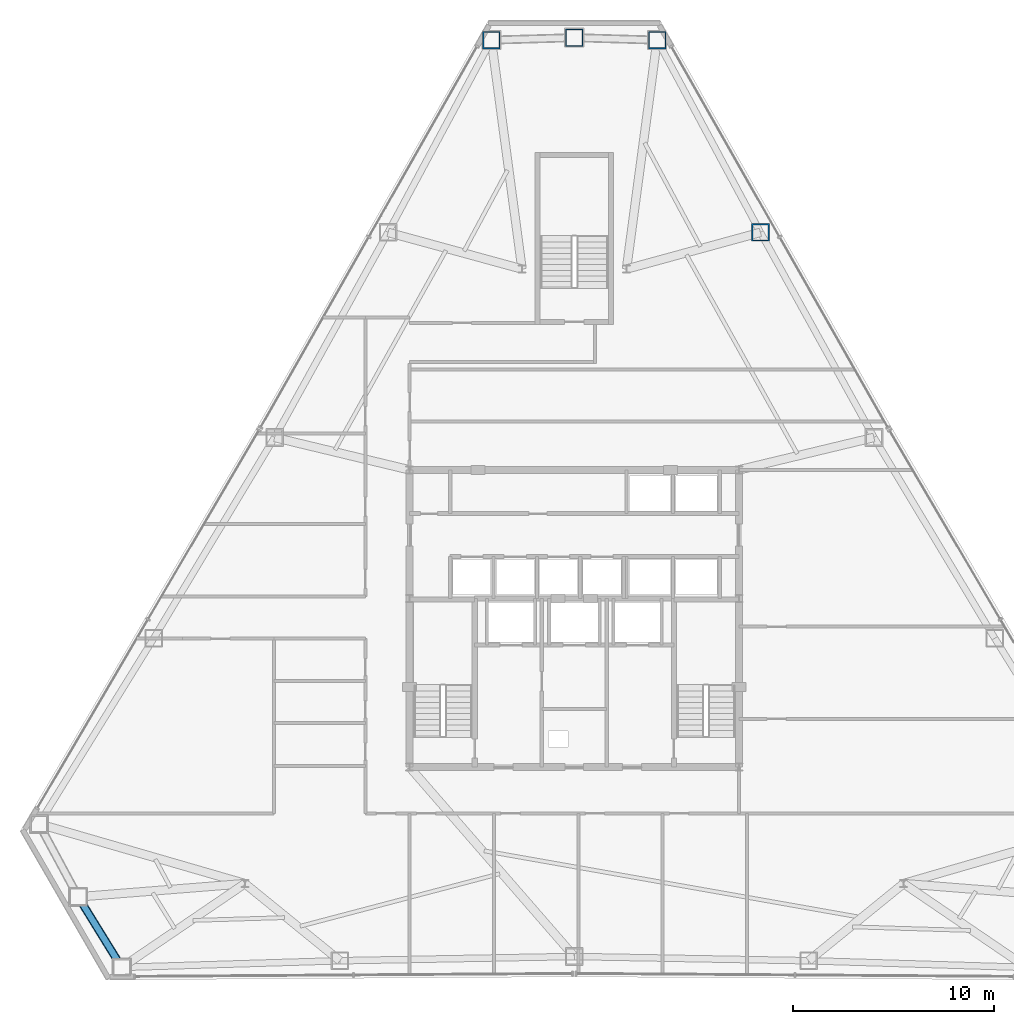
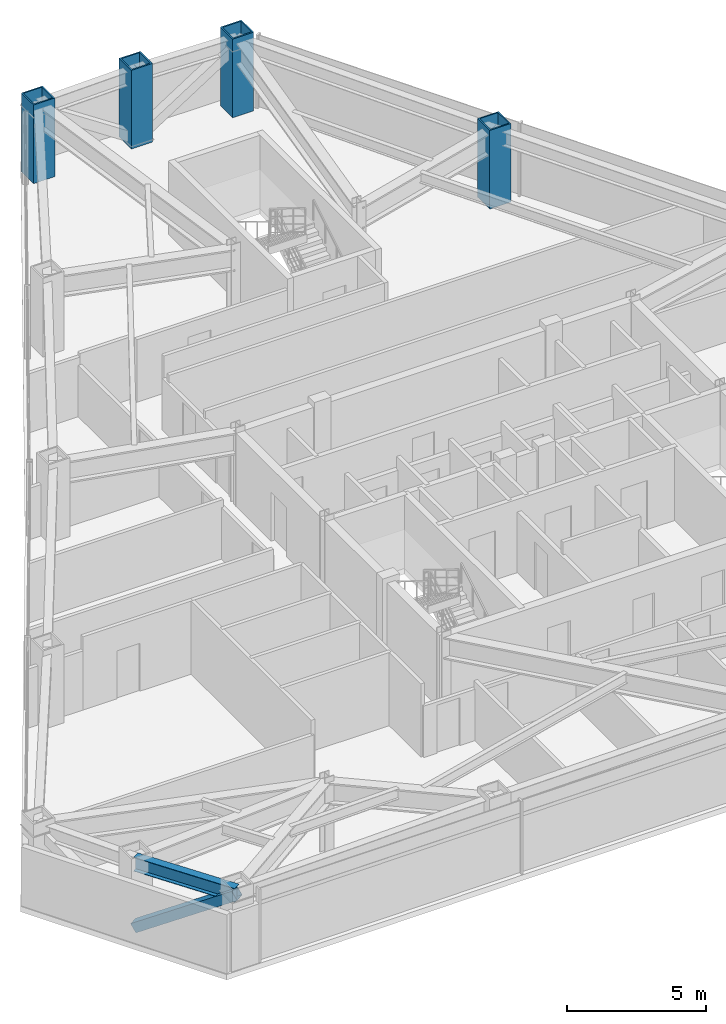
# One storey, part 3 of 12: 4 columns, 1 beam, 1 member.
"""IFC4 building model written with IfcOpenShell, lengths in metres."""

from ifc_helpers import new_model, si_unit, direction, frame, origin, origin_2d, place, context, subcontext, project, spatial, hollow_rectangle, i_section, extrude, source, transform, mapped, material, material_profile, profile_set, type_object, type_shapes, element, save


model = new_model("IFC4")

# Units and contexts
model_context = context("Model", 3, precision=1e-05, world=origin(), true_north=direction((0.0, 1.0)))
body_context = subcontext(model_context, "Body", "Model", "MODEL_VIEW")
ifc_project = project(units=[si_unit("LENGTHUNIT", "METRE"), si_unit("AREAUNIT", "SQUARE_METRE"), si_unit("VOLUMEUNIT", "CUBIC_METRE"), si_unit("PLANEANGLEUNIT", "RADIAN"), si_unit("MASSUNIT", "GRAM", prefix="KILO")], contexts=[model_context])

# Site, building, storey
site_placement = place(None, origin())
site = spatial("IfcSite", under=ifc_project, at=site_placement, CompositionType="ELEMENT")
building_placement = place(site_placement, origin())
building = spatial("IfcBuilding", under=site, at=building_placement, Name="Varakhsha Concourse Tower", CompositionType="ELEMENT")
storey_placement = place(building_placement, frame((0.0, 0.0, 129.800048828125)))
storey = spatial("IfcBuildingStorey", under=building, at=storey_placement, Name="L37", CompositionType="ELEMENT", Elevation=129.800048828125)

# Columns
ifc_material_1 = material(Name="Structural Steel ASTM A572 Grade 50", Category="steel")
ifc_material_profile_1 = material_profile(ifc_material_1, hollow_rectangle(XDim=0.8798828125, YDim=0.8798828125, WallThickness=0.06005859375, at=origin_2d()), Name="BOX 880x880x60")
ifc_profile_set_1 = profile_set([ifc_material_profile_1], Name="Structural Steel ASTM A572 Grade 50")
column_type = type_object("IfcColumnType", Name="CL-TUBE-880", PredefinedType="COLUMN", material=ifc_profile_set_1)
for number, where, z_axis, x_axis, name in (
    (1, (44.1259765625, 52.60009765625, 0.0), (0.0, 0.0, 1.0), (1.0, 0.0, 0.0), "L37 Framed-Tube Column TC01"),
    (2, (40.0, 52.7216796875, 0.0), (0.0, 0.0, 1.0), (1.0, 0.0, 0.0), "L37 Framed-Tube Column TC02"),
    (3, (35.8740234375, 52.60009765625, 0.0), (0.0, 0.0, 1.0), (1.0, 0.0, 0.0), "L37 Framed-Tube Column TC03"),
    (4, (49.26953125, 43.0263671875, 0.0), (0.0, 0.0, 1.0), (1.0, 0.0, 0.0), "L37 Framed-Tube Column TC18"),
):
    element("IfcColumn", number, at=place(storey_placement, frame(where, z_axis=z_axis, x_axis=x_axis)), inside=storey, type_object=column_type, Name=name, PredefinedType="COLUMN", context=body_context, shape_type="SweptSolid", body=[
        extrude(hollow_rectangle(XDim=0.8798828125, YDim=0.8798828125, WallThickness=0.06005859375, at=origin_2d()), origin(), (0.0, 0.0, 1.0), 3.449951171875),
    ])

# Beam
ifc_material_2 = material(Name="Structural Steel ASTM A992 Grade 50", Category="steel")
ifc_material_profile_2 = material_profile(ifc_material_2, i_section(OverallWidth=0.323974609375, OverallDepth=0.611083984375, WebThickness=0.012939453125, FlangeThickness=0.01904296875, at=origin_2d()), Name="W24X104")
ifc_profile_set_2 = profile_set([ifc_material_profile_2], Name="Structural Steel ASTM A992 Grade 50")
beam_type = type_object("IfcBeamType", Name="BM-SPAN-W24X104", PredefinedType="SPANDREL", material=ifc_profile_set_2)
beam_placement = place(storey_placement, frame((15.299560546875, 9.939208984375, 2.904541015625), z_axis=(0.525275019808, -0.850932519984, 0.0), x_axis=(0.850932519984, 0.525275019808, 0.0)))
element("IfcBeam", 5, at=beam_placement, inside=storey, type_object=beam_type, Name="BM-SPAN-L37-08", PredefinedType="SPANDREL", context=body_context, shape_type="SweptSolid", body=[
    extrude(i_section(OverallWidth=0.323974609375, OverallDepth=0.611083984375, WebThickness=0.012939453125, FlangeThickness=0.01904296875, at=origin_2d()), origin(), (0.0, 0.0, 1.0), 4.127685546875),
])

# Member
ifc_material_3 = material(Name="Structural Steel ASTM A500 Grade C", Category="steel")
ifc_material_profile_3 = material_profile(ifc_material_3, hollow_rectangle(XDim=0.39990234375, YDim=0.39990234375, WallThickness=0.01611328125, at=origin_2d()), Name="HSS 400x400x16")
ifc_profile_set_3 = profile_set([ifc_material_profile_3], Name="Structural Steel ASTM A500 Grade C")
member_type = type_object("IfcMemberType", Name="MB-TUBE-HSS400", PredefinedType="BRACE", material=ifc_profile_set_3)
shared_shape = source(origin(), body_context, "Body", "SweptSolid", [
    extrude(hollow_rectangle(XDim=0.39990234375, YDim=0.39990234375, WallThickness=0.01611328125, at=origin_2d()), origin(), (0.0, 0.0, 1.0), 4.982177734375),
])
type_shapes(member_type, [shared_shape])
member_placement = place(storey_placement, frame((15.299560546875, 9.939208984375, 0.119873046875), z_axis=(0.435187815597, -0.7049934808, 0.55999621176), x_axis=(0.850932519984, 0.525275019808, 0.0)))
element("IfcMember", 6, at=member_placement, inside=storey, type_object=member_type, Name="L37 Wind-Corner Tube Brace B04", PredefinedType="BRACE", context=body_context, shape_type="MappedRepresentation", body=[
    mapped(shared_shape, transform((0.0, 0.0, 0.0), scale=1.0)),
])

save(model, "model.ifc")
